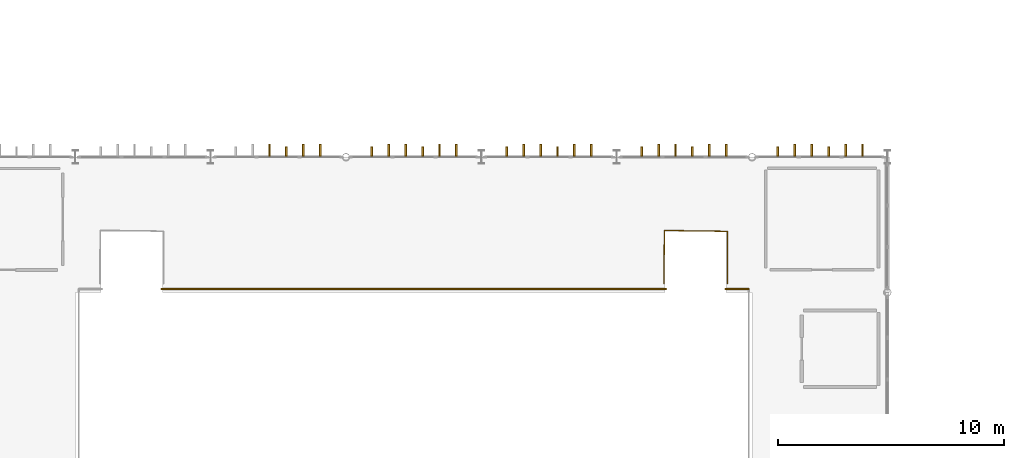
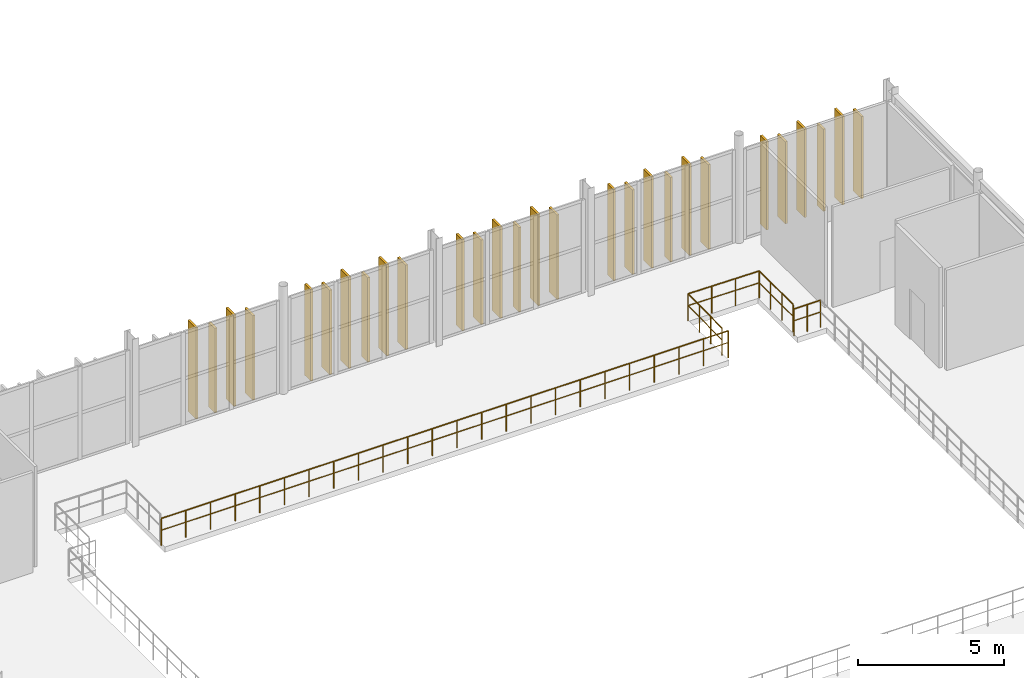
# One storey, part 85 of 96: 28 coverings, 3 railings.
"""IFC4 building model written with IfcOpenShell, lengths in metres."""

from ifc_helpers import new_model, si_unit, direction, frame, origin, origin_2d, place, context, subcontext, project, spatial, rectangle, circle, extrude, material, layer, layer_set, type_object, element, save


model = new_model("IFC4")

# Units and contexts
model_context = context("Model", 3, precision=1e-05, world=origin(), true_north=direction((0.0, 1.0)))
body_context = subcontext(model_context, "Body", "Model", "MODEL_VIEW")
ifc_project = project(units=[si_unit("LENGTHUNIT", "METRE"), si_unit("AREAUNIT", "SQUARE_METRE"), si_unit("VOLUMEUNIT", "CUBIC_METRE"), si_unit("PLANEANGLEUNIT", "RADIAN"), si_unit("MASSUNIT", "GRAM", prefix="KILO")], contexts=[model_context])

# Site, building, storey
site_placement = place(None, origin())
site = spatial("IfcSite", under=ifc_project, at=site_placement, CompositionType="ELEMENT")
building_placement = place(site_placement, origin())
building = spatial("IfcBuilding", under=site, at=building_placement, Name="Varnakota Square Police Headquarters", CompositionType="ELEMENT")
storey_placement = place(building_placement, frame((0.0, 0.0, 4.800048828125)))
storey = spatial("IfcBuildingStorey", under=building, at=storey_placement, Name="L01", CompositionType="ELEMENT", Elevation=4.800048828125)

# Coverings
ifc_material_1 = material(Name="White Anodised Aluminium Vertical Facade Blade 420", Category="aluminium")
ifc_layer_1 = layer(ifc_material_1, 0.0849609375, Name="White Anodised Aluminium Vertical Facade Blade 420")
ifc_layer_set_1 = layer_set([ifc_layer_1], Name="White Anodised Aluminium Vertical Facade Blade 420")
covering_type_1 = type_object("IfcCoveringType", Name="COV-FIN-420", PredefinedType="CLADDING", material=ifc_layer_set_1)
covering_1_placement = place(storey_placement, frame((69.3564453125, 39.237548828125, 0.0400390625), z_axis=(0.0, 0.0, 1.0), x_axis=(1.0, 0.0, 0.0)))
element("IfcCovering", 1, at=covering_1_placement, inside=storey, type_object=covering_type_1, Name="Vertical aluminium facade fin FIN-0100", PredefinedType="CLADDING", context=body_context, shape_type="SweptSolid", body=[
    extrude(rectangle(XDim=0.0849609375, YDim=0.419921875, at=origin_2d()), origin(), (0.0, 0.0, 1.0), 3.530029296875),
])
covering_2_placement = place(storey_placement, frame((73.1435546875, 39.237548828125, 0.0400390625), z_axis=(0.0, 0.0, 1.0), x_axis=(1.0, 0.0, 0.0)))
element("IfcCovering", 2, at=covering_2_placement, inside=storey, type_object=covering_type_1, Name="Vertical aluminium facade fin FIN-0103", PredefinedType="CLADDING", context=body_context, shape_type="SweptSolid", body=[
    extrude(rectangle(XDim=0.0849609375, YDim=0.419921875, at=origin_2d()), origin(), (0.0, 0.0, 1.0), 3.81005859375),
])
covering_3_placement = place(storey_placement, frame((75.3935546875, 39.237548828125, 0.0400390625), z_axis=(0.0, 0.0, 1.0), x_axis=(1.0, 0.0, 0.0)))
element("IfcCovering", 3, at=covering_3_placement, inside=storey, type_object=covering_type_1, Name="Vertical aluminium facade fin FIN-0106", PredefinedType="CLADDING", context=body_context, shape_type="SweptSolid", body=[
    extrude(rectangle(XDim=0.0849609375, YDim=0.419921875, at=origin_2d()), origin(), (0.0, 0.0, 1.0), 3.530029296875),
])
covering_4_placement = place(storey_placement, frame((79.125, 39.237548828125, 0.0400390625), z_axis=(0.0, 0.0, 1.0), x_axis=(1.0, 0.0, 0.0)))
element("IfcCovering", 4, at=covering_4_placement, inside=storey, type_object=covering_type_1, Name="Vertical aluminium facade fin FIN-0109", PredefinedType="CLADDING", context=body_context, shape_type="SweptSolid", body=[
    extrude(rectangle(XDim=0.0849609375, YDim=0.419921875, at=origin_2d()), origin(), (0.0, 0.0, 1.0), 3.81005859375),
])
covering_5_placement = place(storey_placement, frame((81.375, 39.237548828125, 0.0400390625), z_axis=(0.0, 0.0, 1.0), x_axis=(1.0, 0.0, 0.0)))
element("IfcCovering", 5, at=covering_5_placement, inside=storey, type_object=covering_type_1, Name="Vertical aluminium facade fin FIN-0112", PredefinedType="CLADDING", context=body_context, shape_type="SweptSolid", body=[
    extrude(rectangle(XDim=0.0849609375, YDim=0.419921875, at=origin_2d()), origin(), (0.0, 0.0, 1.0), 3.530029296875),
])
covering_6_placement = place(storey_placement, frame((85.1064453125, 39.237548828125, 0.0400390625), z_axis=(0.0, 0.0, 1.0), x_axis=(1.0, 0.0, 0.0)))
element("IfcCovering", 6, at=covering_6_placement, inside=storey, type_object=covering_type_1, Name="Vertical aluminium facade fin FIN-0115", PredefinedType="CLADDING", context=body_context, shape_type="SweptSolid", body=[
    extrude(rectangle(XDim=0.0849609375, YDim=0.419921875, at=origin_2d()), origin(), (0.0, 0.0, 1.0), 3.81005859375),
])
covering_7_placement = place(storey_placement, frame((87.3564453125, 39.237548828125, 0.0400390625), z_axis=(0.0, 0.0, 1.0), x_axis=(1.0, 0.0, 0.0)))
element("IfcCovering", 7, at=covering_7_placement, inside=storey, type_object=covering_type_1, Name="Vertical aluminium facade fin FIN-0118", PredefinedType="CLADDING", context=body_context, shape_type="SweptSolid", body=[
    extrude(rectangle(XDim=0.0849609375, YDim=0.419921875, at=origin_2d()), origin(), (0.0, 0.0, 1.0), 3.530029296875),
])
covering_8_placement = place(storey_placement, frame((91.1435546875, 39.237548828125, 0.0400390625), z_axis=(0.0, 0.0, 1.0), x_axis=(1.0, 0.0, 0.0)))
element("IfcCovering", 8, at=covering_8_placement, inside=storey, type_object=covering_type_1, Name="Vertical aluminium facade fin FIN-0121", PredefinedType="CLADDING", context=body_context, shape_type="SweptSolid", body=[
    extrude(rectangle(XDim=0.0849609375, YDim=0.419921875, at=origin_2d()), origin(), (0.0, 0.0, 1.0), 3.7099609375),
])
covering_9_placement = place(storey_placement, frame((93.3935546875, 39.237548828125, 0.0400390625), z_axis=(0.0, 0.0, 1.0), x_axis=(1.0, 0.0, 0.0)))
element("IfcCovering", 9, at=covering_9_placement, inside=storey, type_object=covering_type_1, Name="Vertical aluminium facade fin FIN-0124", PredefinedType="CLADDING", context=body_context, shape_type="SweptSolid", body=[
    extrude(rectangle(XDim=0.0849609375, YDim=0.419921875, at=origin_2d()), origin(), (0.0, 0.0, 1.0), 3.429931640625),
])
ifc_material_2 = material(Name="White Anodised Aluminium Vertical Facade Blade 550", Category="aluminium")
ifc_layer_2 = layer(ifc_material_2, 0.0849609375, Name="White Anodised Aluminium Vertical Facade Blade 550")
ifc_layer_set_2 = layer_set([ifc_layer_2], Name="White Anodised Aluminium Vertical Facade Blade 550")
covering_type_2 = type_object("IfcCoveringType", Name="COV-FIN-550", PredefinedType="CLADDING", material=ifc_layer_set_2)
for number, where, z_axis, x_axis, name in (
    (10, (68.6064453125, 39.302490234375, 0.0400390625), (0.0, 0.0, 1.0), (1.0, 0.0, 0.0), "Vertical aluminium facade fin FIN-0099"),
    (11, (70.1064453125, 39.302490234375, 0.0400390625), (0.0, 0.0, 1.0), (1.0, 0.0, 0.0), "Vertical aluminium facade fin FIN-0101"),
):
    element("IfcCovering", number, at=place(storey_placement, frame(where, z_axis=z_axis, x_axis=x_axis)), inside=storey, type_object=covering_type_2, Name=name, PredefinedType="CLADDING", context=body_context, shape_type="SweptSolid", body=[
        extrude(rectangle(XDim=0.0849609375, YDim=0.550048828125, at=origin_2d()), origin(), (0.0, 0.0, 1.0), 3.81005859375),
    ])
for number, where, z_axis, x_axis, name in (
    (12, (70.8564453125, 39.302490234375, 0.0400390625), (0.0, 0.0, 1.0), (1.0, 0.0, 0.0), "Vertical aluminium facade fin FIN-0102"),
    (13, (73.8935546875, 39.302490234375, 0.0400390625), (0.0, 0.0, 1.0), (1.0, 0.0, 0.0), "Vertical aluminium facade fin FIN-0104"),
):
    element("IfcCovering", number, at=place(storey_placement, frame(where, z_axis=z_axis, x_axis=x_axis)), inside=storey, type_object=covering_type_2, Name=name, PredefinedType="CLADDING", context=body_context, shape_type="SweptSolid", body=[
        extrude(rectangle(XDim=0.0849609375, YDim=0.550048828125, at=origin_2d()), origin(), (0.0, 0.0, 1.0), 3.530029296875),
    ])
for number, where, z_axis, x_axis, name in (
    (14, (74.6435546875, 39.302490234375, 0.0400390625), (0.0, 0.0, 1.0), (1.0, 0.0, 0.0), "Vertical aluminium facade fin FIN-0105"),
    (15, (76.1435546875, 39.302490234375, 0.0400390625), (0.0, 0.0, 1.0), (1.0, 0.0, 0.0), "Vertical aluminium facade fin FIN-0107"),
):
    element("IfcCovering", number, at=place(storey_placement, frame(where, z_axis=z_axis, x_axis=x_axis)), inside=storey, type_object=covering_type_2, Name=name, PredefinedType="CLADDING", context=body_context, shape_type="SweptSolid", body=[
        extrude(rectangle(XDim=0.0849609375, YDim=0.550048828125, at=origin_2d()), origin(), (0.0, 0.0, 1.0), 3.81005859375),
    ])
for number, where, z_axis, x_axis, name in (
    (16, (76.8935546875, 39.302490234375, 0.0400390625), (0.0, 0.0, 1.0), (1.0, 0.0, 0.0), "Vertical aluminium facade fin FIN-0108"),
    (17, (79.875, 39.302490234375, 0.0400390625), (0.0, 0.0, 1.0), (1.0, 0.0, 0.0), "Vertical aluminium facade fin FIN-0110"),
):
    element("IfcCovering", number, at=place(storey_placement, frame(where, z_axis=z_axis, x_axis=x_axis)), inside=storey, type_object=covering_type_2, Name=name, PredefinedType="CLADDING", context=body_context, shape_type="SweptSolid", body=[
        extrude(rectangle(XDim=0.0849609375, YDim=0.550048828125, at=origin_2d()), origin(), (0.0, 0.0, 1.0), 3.530029296875),
    ])
for number, where, z_axis, x_axis, name in (
    (18, (80.625, 39.302490234375, 0.0400390625), (0.0, 0.0, 1.0), (1.0, 0.0, 0.0), "Vertical aluminium facade fin FIN-0111"),
    (19, (82.125, 39.302490234375, 0.0400390625), (0.0, 0.0, 1.0), (1.0, 0.0, 0.0), "Vertical aluminium facade fin FIN-0113"),
):
    element("IfcCovering", number, at=place(storey_placement, frame(where, z_axis=z_axis, x_axis=x_axis)), inside=storey, type_object=covering_type_2, Name=name, PredefinedType="CLADDING", context=body_context, shape_type="SweptSolid", body=[
        extrude(rectangle(XDim=0.0849609375, YDim=0.550048828125, at=origin_2d()), origin(), (0.0, 0.0, 1.0), 3.81005859375),
    ])
for number, where, z_axis, x_axis, name in (
    (20, (82.875, 39.302490234375, 0.0400390625), (0.0, 0.0, 1.0), (1.0, 0.0, 0.0), "Vertical aluminium facade fin FIN-0114"),
    (21, (85.8564453125, 39.302490234375, 0.0400390625), (0.0, 0.0, 1.0), (1.0, 0.0, 0.0), "Vertical aluminium facade fin FIN-0116"),
):
    element("IfcCovering", number, at=place(storey_placement, frame(where, z_axis=z_axis, x_axis=x_axis)), inside=storey, type_object=covering_type_2, Name=name, PredefinedType="CLADDING", context=body_context, shape_type="SweptSolid", body=[
        extrude(rectangle(XDim=0.0849609375, YDim=0.550048828125, at=origin_2d()), origin(), (0.0, 0.0, 1.0), 3.530029296875),
    ])
for number, where, z_axis, x_axis, name in (
    (22, (86.6064453125, 39.302490234375, 0.0400390625), (0.0, 0.0, 1.0), (1.0, 0.0, 0.0), "Vertical aluminium facade fin FIN-0117"),
    (23, (88.1064453125, 39.302490234375, 0.0400390625), (0.0, 0.0, 1.0), (1.0, 0.0, 0.0), "Vertical aluminium facade fin FIN-0119"),
):
    element("IfcCovering", number, at=place(storey_placement, frame(where, z_axis=z_axis, x_axis=x_axis)), inside=storey, type_object=covering_type_2, Name=name, PredefinedType="CLADDING", context=body_context, shape_type="SweptSolid", body=[
        extrude(rectangle(XDim=0.0849609375, YDim=0.550048828125, at=origin_2d()), origin(), (0.0, 0.0, 1.0), 3.81005859375),
    ])
covering_10_placement = place(storey_placement, frame((88.8564453125, 39.302490234375, 0.0400390625), z_axis=(0.0, 0.0, 1.0), x_axis=(1.0, 0.0, 0.0)))
element("IfcCovering", 24, at=covering_10_placement, inside=storey, type_object=covering_type_2, Name="Vertical aluminium facade fin FIN-0120", PredefinedType="CLADDING", context=body_context, shape_type="SweptSolid", body=[
    extrude(rectangle(XDim=0.0849609375, YDim=0.550048828125, at=origin_2d()), origin(), (0.0, 0.0, 1.0), 3.530029296875),
])
covering_11_placement = place(storey_placement, frame((91.8935546875, 39.302490234375, 0.0400390625), z_axis=(0.0, 0.0, 1.0), x_axis=(1.0, 0.0, 0.0)))
element("IfcCovering", 25, at=covering_11_placement, inside=storey, type_object=covering_type_2, Name="Vertical aluminium facade fin FIN-0122", PredefinedType="CLADDING", context=body_context, shape_type="SweptSolid", body=[
    extrude(rectangle(XDim=0.0849609375, YDim=0.550048828125, at=origin_2d()), origin(), (0.0, 0.0, 1.0), 3.429931640625),
])
for number, where, z_axis, x_axis, name in (
    (26, (92.6435546875, 39.302490234375, 0.0400390625), (0.0, 0.0, 1.0), (1.0, 0.0, 0.0), "Vertical aluminium facade fin FIN-0123"),
    (27, (94.1435546875, 39.302490234375, 0.0400390625), (0.0, 0.0, 1.0), (1.0, 0.0, 0.0), "Vertical aluminium facade fin FIN-0125"),
):
    element("IfcCovering", number, at=place(storey_placement, frame(where, z_axis=z_axis, x_axis=x_axis)), inside=storey, type_object=covering_type_2, Name=name, PredefinedType="CLADDING", context=body_context, shape_type="SweptSolid", body=[
        extrude(rectangle(XDim=0.0849609375, YDim=0.550048828125, at=origin_2d()), origin(), (0.0, 0.0, 1.0), 3.7099609375),
    ])
covering_12_placement = place(storey_placement, frame((94.8935546875, 39.302490234375, 0.0400390625), z_axis=(0.0, 0.0, 1.0), x_axis=(1.0, 0.0, 0.0)))
element("IfcCovering", 28, at=covering_12_placement, inside=storey, type_object=covering_type_2, Name="Vertical aluminium facade fin FIN-0126", PredefinedType="CLADDING", context=body_context, shape_type="SweptSolid", body=[
    extrude(rectangle(XDim=0.0849609375, YDim=0.550048828125, at=origin_2d()), origin(), (0.0, 0.0, 1.0), 3.429931640625),
])

# Railings
ifc_material_3 = material(Name="Galvanised Powder-Coated Steel Guardrail", Category="steel")
railing_type_1 = type_object("IfcRailingType", Name="RL-BAL-1150", PredefinedType="BALUSTRADE", material=ifc_material_3)
railing_1_placement = place(storey_placement, frame((88.905029296875, 33.389892578125, 0.0)))
element("IfcRailing", 29, at=railing_1_placement, inside=storey, type_object=railing_type_1, Name="Perimeter edge safety guard GD-AUTO-L01-042", PredefinedType="BALUSTRADE", context=body_context, shape_type="SweptSolid", body=[
    extrude(circle(Radius=0.02392578125, at=origin_2d()), frame((0.0, 0.0, 1.1259765625), z_axis=(0.0, 1.0, 0.0), x_axis=(-1.0, 0.0, 0.0)), (0.0, 0.0, 1.0), 2.315185546875),
    extrude(circle(Radius=0.01806640625, at=origin_2d()), frame((0.0, 0.0, 0.63232421875), z_axis=(0.0, 1.0, 0.0), x_axis=(-1.0, 0.0, 0.0)), (0.0, 0.0, 1.0), 2.315185546875),
    extrude(circle(Radius=0.02392578125, at=origin_2d()), frame((0.0, 2.315185546875, 1.1259765625), z_axis=(-0.999904555774, 0.013815909035, 0.0), x_axis=(-0.013815909035, -0.999904555774, 0.0)), (0.0, 0.0, 1.0), 2.7919921875),
    extrude(circle(Radius=0.01806640625, at=origin_2d()), frame((0.0, 2.315185546875, 0.63232421875), z_axis=(-0.999904555774, 0.013815909035, 0.0), x_axis=(-0.013815909035, -0.999904555774, 0.0)), (0.0, 0.0, 1.0), 2.7919921875),
    extrude(circle(Radius=0.02392578125, at=origin_2d()), frame((-2.791748046875, 2.353759765625, 1.1259765625), z_axis=(-0.00777904063, -0.999969742806, 0.0), x_axis=(0.999969742806, -0.00777904063, 0.0)), (0.0, 0.0, 1.0), 2.353759765625),
    extrude(circle(Radius=0.01806640625, at=origin_2d()), frame((-2.791748046875, 2.353759765625, 0.63232421875), z_axis=(-0.00777904063, -0.999969742806, 0.0), x_axis=(0.999969742806, -0.00777904063, 0.0)), (0.0, 0.0, 1.0), 2.353759765625),
    extrude(circle(Radius=0.02099609375, at=origin_2d()), origin(), (0.0, 0.0, 1.0), 1.101806640625),
    extrude(circle(Radius=0.02099609375, at=origin_2d()), frame((0.0, 0.771728515625, 0.0)), (0.0, 0.0, 1.0), 1.101806640625),
    extrude(circle(Radius=0.02099609375, at=origin_2d()), frame((0.0, 1.54345703125, 0.0)), (0.0, 0.0, 1.0), 1.101806640625),
    extrude(circle(Radius=0.02099609375, at=origin_2d()), frame((0.0, 2.315185546875, 0.0)), (0.0, 0.0, 1.0), 1.101806640625),
    extrude(circle(Radius=0.02099609375, at=origin_2d()), frame((-0.9306640625, 2.328125, 0.0)), (0.0, 0.0, 1.0), 1.101806640625),
    extrude(circle(Radius=0.02099609375, at=origin_2d()), frame((-1.861083984375, 2.3408203125, 0.0)), (0.0, 0.0, 1.0), 1.101806640625),
    extrude(circle(Radius=0.02099609375, at=origin_2d()), frame((-2.791748046875, 2.353759765625, 0.0)), (0.0, 0.0, 1.0), 1.101806640625),
    extrude(circle(Radius=0.02099609375, at=origin_2d()), frame((-2.7978515625, 1.569091796875, 0.0)), (0.0, 0.0, 1.0), 1.101806640625),
    extrude(circle(Radius=0.02099609375, at=origin_2d()), frame((-2.803955078125, 0.78466796875, 0.0)), (0.0, 0.0, 1.0), 1.101806640625),
    extrude(circle(Radius=0.02099609375, at=origin_2d()), frame((-2.81005859375, 0.0, 0.0)), (0.0, 0.0, 1.0), 1.101806640625),
])
ifc_material_4 = material(Name="Laminated Glass and Stainless Steel Balustrade", Category="steel")
railing_type_2 = type_object("IfcRailingType", Name="RL-INT-1150", PredefinedType="BALUSTRADE", material=ifc_material_4)
railing_2_placement = place(storey_placement, frame((89.85009765625, 33.14990234375, 0.0)))
element("IfcRailing", 30, at=railing_2_placement, inside=storey, type_object=railing_type_2, Name="Entrance hall gallery balustrade", PredefinedType="BALUSTRADE", context=body_context, shape_type="SweptSolid", body=[
    extrude(circle(Radius=0.02392578125, at=origin_2d()), frame((0.0, 0.0, 1.1259765625), z_axis=(-1.0, 0.0, 0.0), x_axis=(0.0, -1.0, 0.0)), (0.0, 0.0, 1.0), 1.050048828125),
    extrude(circle(Radius=0.01806640625, at=origin_2d()), frame((0.0, 0.0, 0.63232421875), z_axis=(-1.0, 0.0, 0.0), x_axis=(0.0, -1.0, 0.0)), (0.0, 0.0, 1.0), 1.050048828125),
    extrude(circle(Radius=0.02099609375, at=origin_2d()), origin(), (0.0, 0.0, 1.0), 1.101806640625),
    extrude(circle(Radius=0.02099609375, at=origin_2d()), frame((-0.52490234375, 0.0, 0.0)), (0.0, 0.0, 1.0), 1.101806640625),
    extrude(circle(Radius=0.02099609375, at=origin_2d()), frame((-1.050048828125, 0.0, 0.0)), (0.0, 0.0, 1.0), 1.101806640625),
])
railing_3_placement = place(storey_placement, frame((86.199951171875, 33.14990234375, 0.0)))
element("IfcRailing", 31, at=railing_3_placement, inside=storey, type_object=railing_type_2, Name="Entrance hall gallery balustrade", PredefinedType="BALUSTRADE", context=body_context, shape_type="SweptSolid", body=[
    extrude(circle(Radius=0.02392578125, at=origin_2d()), frame((0.0, 0.0, 1.1259765625), z_axis=(-1.0, 0.0, 0.0), x_axis=(0.0, -1.0, 0.0)), (0.0, 0.0, 1.0), 22.39990234375),
    extrude(circle(Radius=0.01806640625, at=origin_2d()), frame((0.0, 0.0, 0.63232421875), z_axis=(-1.0, 0.0, 0.0), x_axis=(0.0, -1.0, 0.0)), (0.0, 0.0, 1.0), 22.39990234375),
    extrude(circle(Radius=0.02099609375, at=origin_2d()), origin(), (0.0, 0.0, 1.0), 1.101806640625),
    extrude(circle(Radius=0.02099609375, at=origin_2d()), frame((-0.973876953125, 0.0, 0.0)), (0.0, 0.0, 1.0), 1.101806640625),
    extrude(circle(Radius=0.02099609375, at=origin_2d()), frame((-1.94775390625, 0.0, 0.0)), (0.0, 0.0, 1.0), 1.101806640625),
    extrude(circle(Radius=0.02099609375, at=origin_2d()), frame((-2.921630859375, 0.0, 0.0)), (0.0, 0.0, 1.0), 1.101806640625),
    extrude(circle(Radius=0.02099609375, at=origin_2d()), frame((-3.895751953125, 0.0, 0.0)), (0.0, 0.0, 1.0), 1.101806640625),
    extrude(circle(Radius=0.02099609375, at=origin_2d()), frame((-4.86962890625, 0.0, 0.0)), (0.0, 0.0, 1.0), 1.101806640625),
    extrude(circle(Radius=0.02099609375, at=origin_2d()), frame((-5.843505859375, 0.0, 0.0)), (0.0, 0.0, 1.0), 1.101806640625),
    extrude(circle(Radius=0.02099609375, at=origin_2d()), frame((-6.8173828125, 0.0, 0.0)), (0.0, 0.0, 1.0), 1.101806640625),
    extrude(circle(Radius=0.02099609375, at=origin_2d()), frame((-7.791259765625, 0.0, 0.0)), (0.0, 0.0, 1.0), 1.101806640625),
    extrude(circle(Radius=0.02099609375, at=origin_2d()), frame((-8.76513671875, 0.0, 0.0)), (0.0, 0.0, 1.0), 1.101806640625),
    extrude(circle(Radius=0.02099609375, at=origin_2d()), frame((-9.739013671875, 0.0, 0.0)), (0.0, 0.0, 1.0), 1.101806640625),
    extrude(circle(Radius=0.02099609375, at=origin_2d()), frame((-10.712890625, 0.0, 0.0)), (0.0, 0.0, 1.0), 1.101806640625),
    extrude(circle(Radius=0.02099609375, at=origin_2d()), frame((-11.68701171875, 0.0, 0.0)), (0.0, 0.0, 1.0), 1.101806640625),
    extrude(circle(Radius=0.02099609375, at=origin_2d()), frame((-12.660888671875, 0.0, 0.0)), (0.0, 0.0, 1.0), 1.101806640625),
    extrude(circle(Radius=0.02099609375, at=origin_2d()), frame((-13.634765625, 0.0, 0.0)), (0.0, 0.0, 1.0), 1.101806640625),
    extrude(circle(Radius=0.02099609375, at=origin_2d()), frame((-14.608642578125, 0.0, 0.0)), (0.0, 0.0, 1.0), 1.101806640625),
    extrude(circle(Radius=0.02099609375, at=origin_2d()), frame((-15.58251953125, 0.0, 0.0)), (0.0, 0.0, 1.0), 1.101806640625),
    extrude(circle(Radius=0.02099609375, at=origin_2d()), frame((-16.556396484375, 0.0, 0.0)), (0.0, 0.0, 1.0), 1.101806640625),
    extrude(circle(Radius=0.02099609375, at=origin_2d()), frame((-17.5302734375, 0.0, 0.0)), (0.0, 0.0, 1.0), 1.101806640625),
    extrude(circle(Radius=0.02099609375, at=origin_2d()), frame((-18.504150390625, 0.0, 0.0)), (0.0, 0.0, 1.0), 1.101806640625),
    extrude(circle(Radius=0.02099609375, at=origin_2d()), frame((-19.478271484375, 0.0, 0.0)), (0.0, 0.0, 1.0), 1.101806640625),
    extrude(circle(Radius=0.02099609375, at=origin_2d()), frame((-20.4521484375, 0.0, 0.0)), (0.0, 0.0, 1.0), 1.101806640625),
    extrude(circle(Radius=0.02099609375, at=origin_2d()), frame((-21.426025390625, 0.0, 0.0)), (0.0, 0.0, 1.0), 1.101806640625),
    extrude(circle(Radius=0.02099609375, at=origin_2d()), frame((-22.39990234375, 0.0, 0.0)), (0.0, 0.0, 1.0), 1.101806640625),
])

save(model, "model.ifc")
